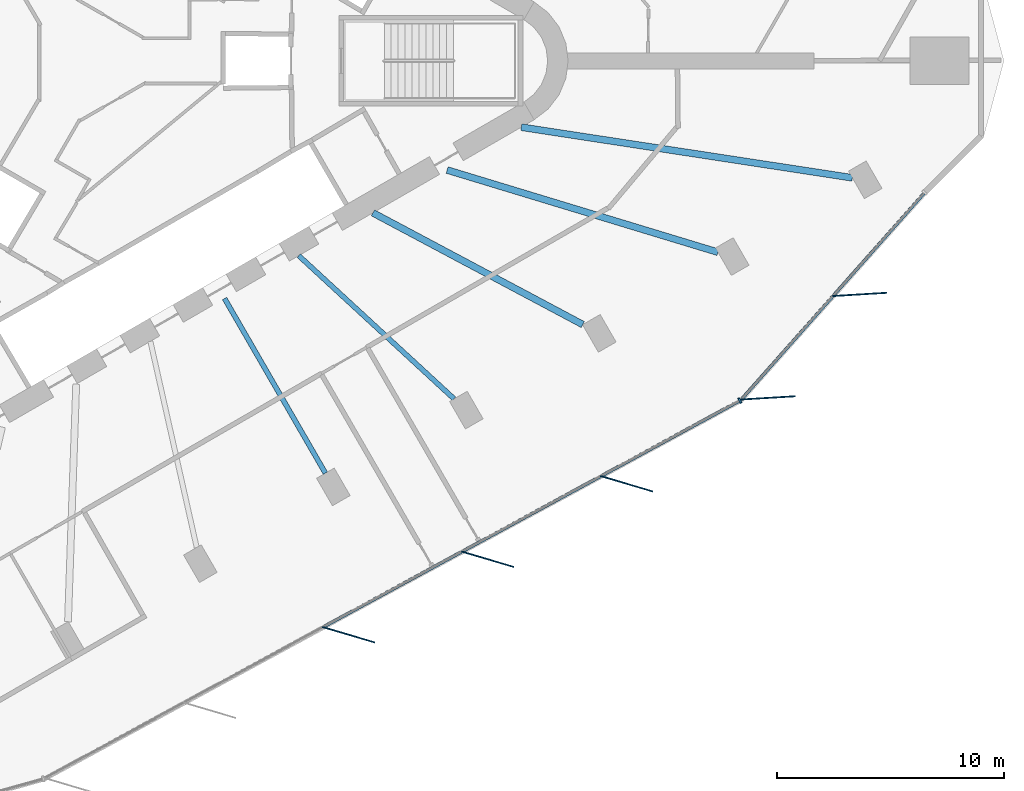
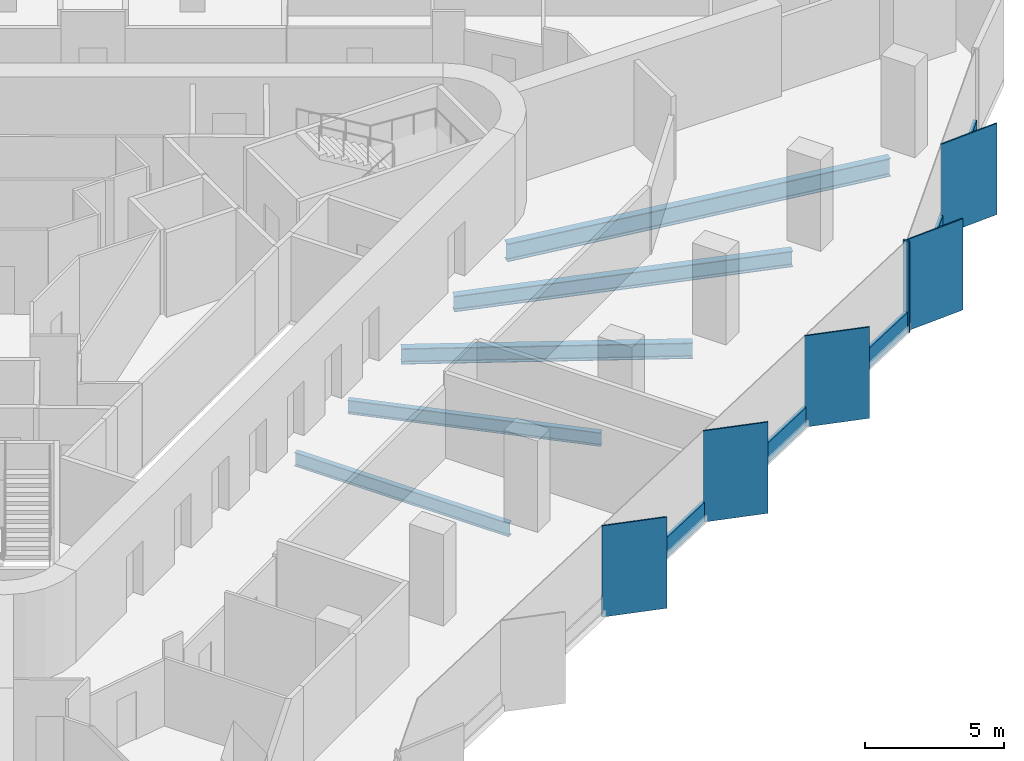
# One storey, part 3 of 14: 11 members, 5 beams, 2 elements without a shape of their own.
"""IFC4 building model written with IfcOpenShell, lengths in metres."""

import ifcopenshell
import ifcopenshell.guid

model = None  # the IFC model being written
_history = None  # IfcOwnerHistory: only IFC2X3 demands one
_inside = {}  # id of a spatial element -> (the spatial element, [elements in it])
_under = {}  # id of a project, library or spatial element -> (it, [spatial elements below it])
_declared = {}  # id of a project -> (the project, [libraries it declares])
_typed = {}  # id of a type object -> (the type object, [elements of that type])
_made_of = {}  # id of a material, layer set ... -> (it, [elements and type objects made of it])


def new_model(schema):
    """Start an empty IFC model of exactly this schema.

    Asked for "IFC4X3", IfcOpenShell would pick the latest addendum, in which some entities
    have other attributes; the version numbers below select the first issue.
    IFC2X3 requires an IfcOwnerHistory on every rooted entity: one is made here for all.
    """
    global model, _history
    if schema == "IFC4X3":
        model = ifcopenshell.file(schema_version=(4, 3, 0, 0))
    else:
        model = ifcopenshell.file(schema=schema)
    _inside.clear()
    _under.clear()
    _declared.clear()
    _typed.clear()
    _made_of.clear()
    _history = None
    if model.schema == "IFC2X3":
        org = make("IfcOrganization", Name="unknown")
        user = make(
            "IfcPersonAndOrganization",
            ThePerson=make("IfcPerson", FamilyName="unknown"),
            TheOrganization=org,
        )
        app = make(
            "IfcApplication",
            ApplicationDeveloper=org,
            Version="unknown",
            ApplicationFullName="unknown",
            ApplicationIdentifier="unknown",
        )
        _history = make(
            "IfcOwnerHistory",
            OwningUser=user,
            OwningApplication=app,
            ChangeAction="ADDED",
            CreationDate=0,
        )
    return model


def make(cls, **values):
    """One entity of the class cls with the attributes given. An attribute that is None is left unset."""
    return model.create_entity(
        cls, **{name: value for name, value in values.items() if value is not None}
    )


def rooted(cls, **values):
    """An entity with a GlobalId (a new one), such as an element, a storey or a relation."""
    return make(cls, GlobalId=ifcopenshell.guid.new(), OwnerHistory=_history, **values)


def si_unit(unit_type, name, prefix=None):
    """IfcSIUnit, for example si_unit("LENGTHUNIT", "METRE", prefix="MILLI")."""
    return make("IfcSIUnit", UnitType=unit_type, Prefix=prefix, Name=name)


def assignment(units):
    """IfcUnitAssignment: the units of a project."""
    return None if units is None else make("IfcUnitAssignment", Units=units)


def point(xyz):
    """IfcCartesianPoint."""
    return None if xyz is None else make("IfcCartesianPoint", Coordinates=xyz)


def direction(xyz):
    """IfcDirection."""
    return None if xyz is None else make("IfcDirection", DirectionRatios=xyz)


def frame(location, z_axis=None, x_axis=None):
    """IfcAxis2Placement3D, a coordinate frame: its origin and axes. An axis left out is left unset."""
    return make(
        "IfcAxis2Placement3D",
        Location=point(location),
        Axis=direction(z_axis),
        RefDirection=direction(x_axis),
    )


def frame_2d(location, x_axis=None):
    """IfcAxis2Placement2D, a coordinate frame in the plane: its origin and x axis."""
    return make(
        "IfcAxis2Placement2D", Location=point(location), RefDirection=direction(x_axis)
    )


def origin():
    """The frame at (0, 0, 0) with its axes left unset."""
    return frame((0.0, 0.0, 0.0))


def origin_2d():
    """The frame at (0, 0) in the plane with its x axis left unset."""
    return frame_2d((0.0, 0.0))


def place(relative_to, where):
    """IfcLocalPlacement: puts the frame where relative to a parent placement (None: the world)."""
    return make(
        "IfcLocalPlacement", PlacementRelTo=relative_to, RelativePlacement=where
    )


def context(
    kind, dimensions, precision=None, world=None, true_north=None, identifier=None
):
    """IfcGeometricRepresentationContext, for example the 3D "Model" context."""
    return make(
        "IfcGeometricRepresentationContext",
        ContextIdentifier=identifier,
        ContextType=kind,
        CoordinateSpaceDimension=dimensions,
        Precision=precision,
        WorldCoordinateSystem=world,
        TrueNorth=true_north,
    )


def subcontext(parent, identifier, kind, view, scale=None):
    """IfcGeometricRepresentationSubContext, for example "Body" below "Model"."""
    return make(
        "IfcGeometricRepresentationSubContext",
        ContextIdentifier=identifier,
        ContextType=kind,
        ParentContext=parent,
        TargetScale=scale,
        TargetView=view,
    )


def project(units=None, contexts=None):
    """IfcProject with its units and contexts."""
    return rooted(
        "IfcProject",
        Name="project",
        RepresentationContexts=contexts,
        UnitsInContext=assignment(units),
    )


def spatial(cls, under=None, at=None, **own):
    """A site, building, storey or space (cls), placed at a placement, below another one or the project."""
    s = rooted(cls, ObjectPlacement=at, **own)
    if under is not None:
        _under.setdefault(under.id(), (under, []))[1].append(s)
    return s


def profile(cls, at=None, kind="AREA", **sizes):
    """A parametric profile (cls). Its sizes go by their IFC names, for example OverallWidth=200.0."""
    return make(cls, ProfileType=kind, Position=at, **sizes)


def rectangle(**sizes):
    """IfcRectangleProfileDef."""
    return profile("IfcRectangleProfileDef", **sizes)


def i_section(**sizes):
    """IfcIShapeProfileDef."""
    return profile("IfcIShapeProfileDef", **sizes)


def extrude(swept, where, along, depth):
    """IfcExtrudedAreaSolid: the profile swept, set in the frame where, extruded along a direction by depth."""
    return make(
        "IfcExtrudedAreaSolid",
        SweptArea=swept,
        Position=where,
        ExtrudedDirection=direction(along),
        Depth=depth,
    )


def shape(context_of_items, identifier, shape_type, items):
    """IfcShapeRepresentation: the items that make up one representation, for example the "Body"."""
    return make(
        "IfcShapeRepresentation",
        ContextOfItems=context_of_items,
        RepresentationIdentifier=identifier,
        RepresentationType=shape_type,
        Items=items,
    )


def material(Name=None, Category=None):
    """IfcMaterial."""
    return make("IfcMaterial", Name=Name, Category=Category)


def material_profile(
    of_material, cross_section, Name=None, Category=None, Priority=None
):
    """IfcMaterialProfile: a cross section and its material."""
    return make(
        "IfcMaterialProfile",
        Name=Name,
        Material=of_material,
        Profile=cross_section,
        Priority=Priority,
        Category=Category,
    )


def profile_set(profiles, Name=None, composite=None):
    """IfcMaterialProfileSet."""
    return make(
        "IfcMaterialProfileSet",
        Name=Name,
        MaterialProfiles=profiles,
        CompositeProfile=composite,
    )


def made_of(thing, what):
    """Note that an element or type object is made of a material, layer set ...; save() writes the relation."""
    if what is not None:
        _made_of.setdefault(what.id(), (what, []))[1].append(thing)
    return thing


def type_object(cls, material=None, **own):
    """A type object (cls), such as IfcWallType, which elements share."""
    return made_of(rooted(cls, **own), material)


def element(
    cls,
    number,
    at=None,
    inside=None,
    cuts=None,
    type_object=None,
    material=None,
    context=None,
    identifier="Body",
    shape_type=None,
    held_by="IfcProductDefinitionShape",
    body=None,
    shapes=None,
    **own,
):
    """One element of the class cls, such as IfcWall. Its Tag is "e" and its number.

    at: its placement. inside: the storey or other place that contains it. cuts: it is an
    opening in that element (IfcRelVoidsElement). A single representation is given by context,
    identifier, shape_type and body (its items); several are given by shapes. held_by: the class
    of the entity that holds the representations. save() writes the other relations.
    """
    e = rooted(cls, Tag="e%d" % number, ObjectPlacement=at, **own)
    if body is not None:
        shapes = [shape(context, identifier, shape_type, body)]
    if shapes is not None:
        e.Representation = make(held_by, Representations=shapes)
    if inside is not None:
        _inside.setdefault(inside.id(), (inside, []))[1].append(e)
    if cuts is not None:
        rooted(
            "IfcRelVoidsElement", RelatingBuildingElement=cuts, RelatedOpeningElement=e
        )
    if type_object is not None:
        _typed.setdefault(type_object.id(), (type_object, []))[1].append(e)
    return made_of(e, material)


def aggregate(whole, parts):
    """IfcRelAggregates: a whole, such as a stair, and the parts it consists of."""
    return rooted("IfcRelAggregates", RelatingObject=whole, RelatedObjects=parts)


def save(model, path):
    """Write the relations noted so far, then the file.

    IfcRelAggregates (storeys below a building ...), IfcRelContainedInSpatialStructure (elements
    in a storey), IfcRelDefinesByType, IfcRelAssociatesMaterial and IfcRelDeclares: one each for
    every whole, place, type object, material and project.
    """
    for whole, parts in _under.values():
        aggregate(whole, parts)
    for where, things in _inside.values():
        rooted(
            "IfcRelContainedInSpatialStructure",
            RelatedElements=things,
            RelatingStructure=where,
        )
    for kind, things in _typed.values():
        rooted("IfcRelDefinesByType", RelatedObjects=things, RelatingType=kind)
    for what, things in _made_of.values():
        rooted("IfcRelAssociatesMaterial", RelatedObjects=things, RelatingMaterial=what)
    for by, libraries in _declared.values():
        rooted("IfcRelDeclares", RelatingContext=by, RelatedDefinitions=libraries)
    model.write(path)


model = new_model("IFC4")

# Units and contexts
model_context = context("Model", 3, precision=1e-05, world=origin(), true_north=direction((0.0, 1.0)))
body_context = subcontext(model_context, "Body", "Model", "MODEL_VIEW")
ifc_project = project(units=[si_unit("LENGTHUNIT", "METRE"), si_unit("AREAUNIT", "SQUARE_METRE"), si_unit("VOLUMEUNIT", "CUBIC_METRE"), si_unit("PLANEANGLEUNIT", "RADIAN"), si_unit("MASSUNIT", "GRAM", prefix="KILO")], contexts=[model_context])

# Site, building, storey
site_placement = place(None, origin())
site = spatial("IfcSite", under=ifc_project, at=site_placement, CompositionType="ELEMENT")
building_placement = place(site_placement, origin())
building = spatial("IfcBuilding", under=site, at=building_placement, Name="Tanit Gate Tower", CompositionType="ELEMENT")
storey_placement = place(building_placement, frame((0.0, 0.0, 245.199951171875)))
storey = spatial("IfcBuildingStorey", under=building, at=storey_placement, Name="L55", CompositionType="ELEMENT", Elevation=245.199951171875)

# Curtain wall, members
ifc_material_1 = material(Name="Aluminium bronze anodised and glass", Category="aluminium")
curtain_wall_type = type_object("IfcCurtainWallType", Name="Curtain wall typical mid", PredefinedType="NOTDEFINED", material=ifc_material_1)
curtain_wall_1_placement = place(storey_placement, origin())
curtain_wall_1 = element("IfcCurtainWall", 1, at=curtain_wall_1_placement, inside=storey, type_object=curtain_wall_type, Name="Curtain wall L55 SE2", PredefinedType="NOTDEFINED")
ifc_material_2 = material(Name="Aluminium bronze anodised", Category="aluminium")
ifc_material_profile_1 = material_profile(ifc_material_2, rectangle(XDim=2.39990234375, YDim=0.055908203125, at=origin_2d()), Name="56x2400 bronze fin mullion")
ifc_profile_set_1 = profile_set([ifc_material_profile_1], Name="Aluminium bronze anodised")
member_type_1 = type_object("IfcMemberType", Name="FIN MULLION 56x2400 bronze", PredefinedType="MULLION", material=ifc_profile_set_1)
member_1_placement = place(storey_placement, frame((11.52099609375, -25.304931640625, -0.300048828125), z_axis=(0.0, 0.0, 1.0), x_axis=(-0.958891574692, 0.28377270479, 0.0)))
member_1 = element("IfcMember", 2, at=member_1_placement, type_object=member_type_1, Name="Fin mullion L55 SE2.3", PredefinedType="MULLION", context=body_context, shape_type="SweptSolid", body=[
    extrude(rectangle(XDim=2.39990234375, YDim=0.055908203125, at=origin_2d()), origin(), (0.0, 0.0, 1.0), 4.0),
])
member_2_placement = place(storey_placement, frame((17.649169921875, -21.9755859375, -0.300048828125), z_axis=(0.0, 0.0, 1.0), x_axis=(-0.958891574692, 0.28377270479, 0.0)))
member_2 = element("IfcMember", 3, at=member_2_placement, type_object=member_type_1, Name="Fin mullion L55 SE2.4", PredefinedType="MULLION", context=body_context, shape_type="SweptSolid", body=[
    extrude(rectangle(XDim=2.39990234375, YDim=0.055908203125, at=origin_2d()), origin(), (0.0, 0.0, 1.0), 4.0),
])
member_3_placement = place(storey_placement, frame((23.77734375, -18.646240234375, -0.300048828125), z_axis=(0.0, 0.0, 1.0), x_axis=(-0.958891574692, 0.28377270479, 0.0)))
member_3 = element("IfcMember", 4, at=member_3_placement, type_object=member_type_1, Name="Fin mullion L55 SE2.5", PredefinedType="MULLION", context=body_context, shape_type="SweptSolid", body=[
    extrude(rectangle(XDim=2.39990234375, YDim=0.055908203125, at=origin_2d()), origin(), (0.0, 0.0, 1.0), 4.0),
])

curtain_wall_2_placement = place(storey_placement, origin())
curtain_wall_2 = element("IfcCurtainWall", 5, at=curtain_wall_2_placement, inside=storey, type_object=curtain_wall_type, Name="Curtain wall L55 SE3", PredefinedType="NOTDEFINED")
member_4_placement = place(storey_placement, frame((30.013427734375, -14.8623046875, -0.300048828125), z_axis=(0.0, 0.0, 1.0), x_axis=(-0.998180025714, -0.060304529394, 0.0)))
member_4 = element("IfcMember", 6, at=member_4_placement, type_object=member_type_1, Name="Fin mullion L55 SE3.1", PredefinedType="MULLION", context=body_context, shape_type="SweptSolid", body=[
    extrude(rectangle(XDim=2.39990234375, YDim=0.055908203125, at=origin_2d()), origin(), (0.0, 0.0, 1.0), 4.0),
])
member_5_placement = place(storey_placement, frame((34.05615234375, -10.299560546875, -0.300048828125), z_axis=(0.0, 0.0, 1.0), x_axis=(-0.998180025714, -0.060304529394, 0.0)))
member_5 = element("IfcMember", 7, at=member_5_placement, type_object=member_type_1, Name="Fin mullion L55 SE3.2", PredefinedType="MULLION", context=body_context, shape_type="SweptSolid", body=[
    extrude(rectangle(XDim=2.39990234375, YDim=0.055908203125, at=origin_2d()), origin(), (0.0, 0.0, 1.0), 4.0),
])

# Member
ifc_material_3 = material(Name="Aluminium bronze anodised", Category="aluminium")
ifc_material_profile_2 = material_profile(ifc_material_3, rectangle(XDim=0.260009765625, YDim=0.080078125, at=origin_2d()), Name="80x260 bronze mullion")
ifc_profile_set_2 = profile_set([ifc_material_profile_2], Name="Aluminium bronze anodised")
member_type_2 = type_object("IfcMemberType", Name="Mullion 80x260 typical mid", PredefinedType="MULLION", material=ifc_profile_set_2)
member_6_placement = place(storey_placement, frame((28.775146484375, -14.982421875, -0.300048828125), z_axis=(0.0, 0.0, 1.0), x_axis=(-0.477381131015, 0.87869633876, 0.0)))
member_6 = element("IfcMember", 8, at=member_6_placement, type_object=member_type_2, Name="Mullion L55 SE2.6", PredefinedType="MULLION", context=body_context, shape_type="SweptSolid", body=[
    extrude(rectangle(XDim=0.260009765625, YDim=0.080078125, at=origin_2d()), origin(), (0.0, 0.0, 1.0), 4.0),
])

# Beams
ifc_material_4 = material(Name="Steel S355", Category="steel")
ifc_material_profile_3 = material_profile(ifc_material_4, i_section(OverallWidth=0.300048828125, OverallDepth=0.68994140625, WebThickness=0.014404296875, FlangeThickness=0.027099609375, FilletRadius=0.027099609375, at=origin_2d()), Name="HEA 700")
ifc_profile_set_3 = profile_set([ifc_material_profile_3], Name="Steel S355")
beam_type_1 = type_object("IfcBeamType", Name="RADIAL GIRDER HEA 700 S355", PredefinedType="BEAM", material=ifc_profile_set_3)
beam_1_placement = place(storey_placement, frame((21.845947265625, -11.628173828125, -0.64501953125), z_axis=(-0.882742084466, 0.469857863947, 0.0), x_axis=(-0.469857863947, -0.882742084466, 0.0)))
element("IfcBeam", 9, at=beam_1_placement, inside=storey, type_object=beam_type_1, Name="RADIAL GIRDER", PredefinedType="BEAM", context=body_context, shape_type="SweptSolid", body=[
    extrude(i_section(OverallWidth=0.300048828125, OverallDepth=0.68994140625, WebThickness=0.014404296875, FlangeThickness=0.027099609375, FilletRadius=0.027099609375, at=origin_2d()), origin(), (0.0, 0.0, 1.0), 10.4814453125),
])
beam_2_placement = place(storey_placement, frame((27.80810546875, -8.439208984375, -0.64501953125), z_axis=(-0.956906204487, 0.290397169089, 0.0), x_axis=(-0.290397169089, -0.956906204487, 0.0)))
element("IfcBeam", 10, at=beam_2_placement, inside=storey, type_object=beam_type_1, Name="RADIAL GIRDER", PredefinedType="BEAM", context=body_context, shape_type="SweptSolid", body=[
    extrude(i_section(OverallWidth=0.300048828125, OverallDepth=0.68994140625, WebThickness=0.014404296875, FlangeThickness=0.027099609375, FilletRadius=0.027099609375, at=origin_2d()), origin(), (0.0, 0.0, 1.0), 12.481201171875),
])
ifc_material_5 = material(Name="Steel S355", Category="steel")
ifc_material_profile_4 = material_profile(ifc_material_5, i_section(OverallWidth=0.300048828125, OverallDepth=0.7900390625, WebThickness=0.014892578125, FlangeThickness=0.028076171875, FilletRadius=0.030029296875, at=origin_2d()), Name="HEA 800")
ifc_profile_set_4 = profile_set([ifc_material_profile_4], Name="Steel S355")
beam_type_2 = type_object("IfcBeamType", Name="RADIAL GIRDER HEA 800 S355", PredefinedType="BEAM", material=ifc_profile_set_4)
beam_3_placement = place(storey_placement, frame((33.732177734375, -5.157958984375, -0.695068359375), z_axis=(-0.988510058129, 0.151155102389, 0.0), x_axis=(-0.151155102389, -0.988510058129, 0.0)))
element("IfcBeam", 11, at=beam_3_placement, inside=storey, type_object=beam_type_2, Name="RADIAL GIRDER", PredefinedType="BEAM", context=body_context, shape_type="SweptSolid", body=[
    extrude(i_section(OverallWidth=0.300048828125, OverallDepth=0.7900390625, WebThickness=0.014892578125, FlangeThickness=0.028076171875, FilletRadius=0.030029296875, at=origin_2d()), origin(), (0.0, 0.0, 1.0), 14.765869140625),
])
ifc_material_6 = material(Name="Steel S355", Category="steel")
ifc_material_profile_5 = material_profile(ifc_material_6, i_section(OverallWidth=0.219970703125, OverallDepth=0.60009765625, WebThickness=0.011962890625, FlangeThickness=0.01904296875, FilletRadius=0.02392578125, at=origin_2d()), Name="IPE 600")
ifc_profile_set_5 = profile_set([ifc_material_profile_5], Name="Steel S355")
beam_type_3 = type_object("IfcBeamType", Name="RADIAL GIRDER IPE 600 S355", PredefinedType="BEAM", material=ifc_profile_set_5)
beam_4_placement = place(storey_placement, frame((10.49658203125, -18.1806640625, -0.599853515625), z_axis=(-0.499998967409, 0.866025999951, 0.0), x_axis=(-0.866025999951, -0.499998967409, 0.0)))
element("IfcBeam", 12, at=beam_4_placement, inside=storey, type_object=beam_type_3, Name="RADIAL GIRDER", PredefinedType="BEAM", context=body_context, shape_type="SweptSolid", body=[
    extrude(i_section(OverallWidth=0.219970703125, OverallDepth=0.60009765625, WebThickness=0.011962890625, FlangeThickness=0.01904296875, FilletRadius=0.02392578125, at=origin_2d()), origin(), (0.0, 0.0, 1.0), 8.89111328125),
])
beam_5_placement = place(storey_placement, frame((16.17138671875, -14.904296875, -0.599853515625), z_axis=(-0.735338835574, 0.677699636193, 0.0), x_axis=(-0.677699636193, -0.735338835574, 0.0)))
element("IfcBeam", 13, at=beam_5_placement, inside=storey, type_object=beam_type_3, Name="RADIAL GIRDER", PredefinedType="BEAM", context=body_context, shape_type="SweptSolid", body=[
    extrude(i_section(OverallWidth=0.219970703125, OverallDepth=0.60009765625, WebThickness=0.011962890625, FlangeThickness=0.01904296875, FilletRadius=0.02392578125, at=origin_2d()), origin(), (0.0, 0.0, 1.0), 9.314208984375),
])

# Member
ifc_material_7 = material(Name="Aluminium bronze anodised", Category="aluminium")
ifc_material_profile_6 = material_profile(ifc_material_7, rectangle(XDim=0.139892578125, YDim=0.89990234375, at=origin_2d()), Name="140x900 bronze transom")
ifc_profile_set_6 = profile_set([ifc_material_profile_6], Name="Aluminium bronze anodised")
member_type_3 = type_object("IfcMemberType", Name="Transom 140x900 typical mid", PredefinedType="USERDEFINED", material=ifc_profile_set_6)
member_7_placement = place(storey_placement, frame((10.42578125, -24.951171875, 0.150146484375), z_axis=(0.878703630976, 0.47736770828, 0.0), x_axis=(-0.47736770828, 0.878703630976, 0.0)))
member_7 = element("IfcMember", 14, at=member_7_placement, type_object=member_type_3, Name="Transom L55 SE2.3", ObjectType="TRANSOM", PredefinedType="USERDEFINED", context=body_context, shape_type="SweptSolid", body=[
    extrude(rectangle(XDim=0.139892578125, YDim=0.89990234375, at=origin_2d()), origin(), (0.0, 0.0, 1.0), 6.89404296875),
])

member_8_placement = place(storey_placement, frame((16.553955078125, -21.621826171875, 0.150146484375), z_axis=(0.878703630976, 0.47736770828, 0.0), x_axis=(-0.47736770828, 0.878703630976, 0.0)))
member_8 = element("IfcMember", 15, at=member_8_placement, type_object=member_type_3, Name="Transom L55 SE2.4", ObjectType="TRANSOM", PredefinedType="USERDEFINED", context=body_context, shape_type="SweptSolid", body=[
    extrude(rectangle(XDim=0.139892578125, YDim=0.89990234375, at=origin_2d()), origin(), (0.0, 0.0, 1.0), 6.89404296875),
])

member_9_placement = place(storey_placement, frame((22.68212890625, -18.292724609375, 0.150146484375), z_axis=(0.878680705198, 0.477409905964, 0.0), x_axis=(-0.477409905964, 0.878680705198, 0.0)))
member_9 = element("IfcMember", 16, at=member_9_placement, type_object=member_type_3, Name="Transom L55 SE2.5", ObjectType="TRANSOM", PredefinedType="USERDEFINED", context=body_context, shape_type="SweptSolid", body=[
    extrude(rectangle(XDim=0.139892578125, YDim=0.89990234375, at=origin_2d()), origin(), (0.0, 0.0, 1.0), 6.89404296875),
])

aggregate(curtain_wall_1, [member_1, member_2, member_3, member_6, member_7, member_8, member_9])

member_10_placement = place(storey_placement, frame((28.86328125, -14.903564453125, 0.150146484375), z_axis=(0.66316908032, 0.748469619228, 0.0), x_axis=(-0.748469619228, 0.66316908032, 0.0)))
member_10 = element("IfcMember", 17, at=member_10_placement, type_object=member_type_3, Name="Transom L55 SE3.1", ObjectType="TRANSOM", PredefinedType="USERDEFINED", context=body_context, shape_type="SweptSolid", body=[
    extrude(rectangle(XDim=0.139892578125, YDim=0.89990234375, at=origin_2d()), origin(), (0.0, 0.0, 1.0), 6.01611328125),
])

member_11_placement = place(storey_placement, frame((32.906005859375, -10.3408203125, 0.150146484375), z_axis=(0.663171671034, 0.748467323761, 0.0), x_axis=(-0.748467323761, 0.663171671034, 0.0)))
member_11 = element("IfcMember", 18, at=member_11_placement, type_object=member_type_3, Name="Transom L55 SE3.2", ObjectType="TRANSOM", PredefinedType="USERDEFINED", context=body_context, shape_type="SweptSolid", body=[
    extrude(rectangle(XDim=0.139892578125, YDim=0.89990234375, at=origin_2d()), origin(), (0.0, 0.0, 1.0), 6.0166015625),
])

aggregate(curtain_wall_2, [member_4, member_5, member_10, member_11])

save(model, "model.ifc")
